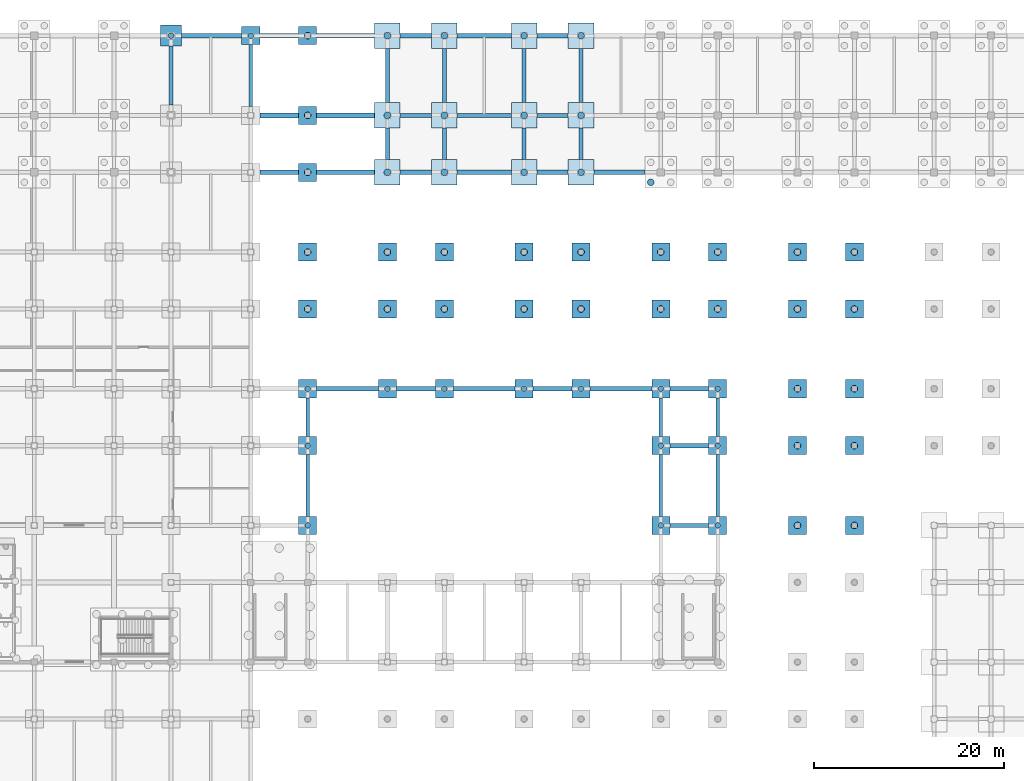
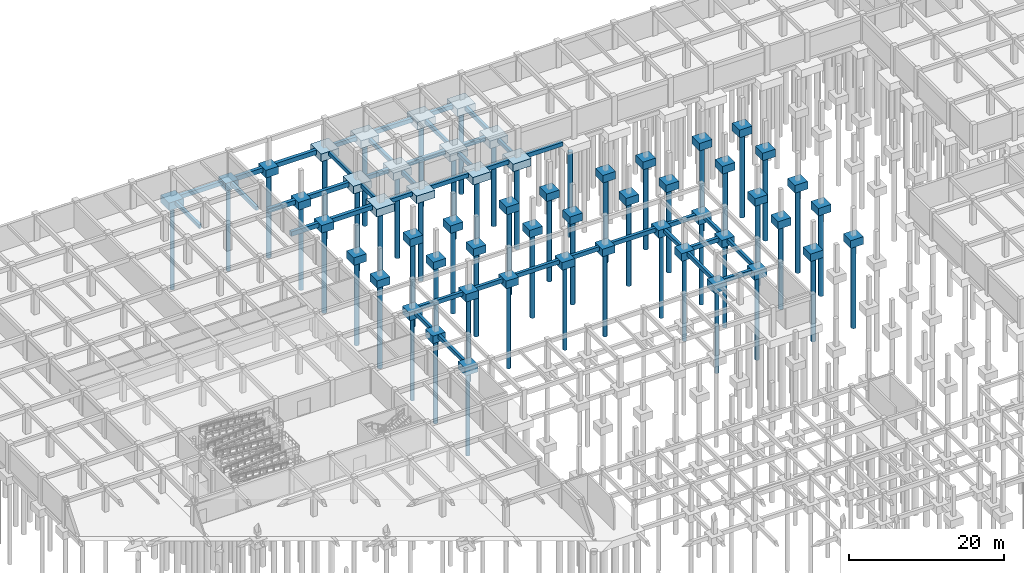
# One storey, part 9 of 40: 92 footings, 55 piles.
"""IFC4 building model written with IfcOpenShell, lengths in metres."""

import ifcopenshell
import ifcopenshell.guid

model = None  # the IFC model being written
_history = None  # IfcOwnerHistory: only IFC2X3 demands one
_inside = {}  # id of a spatial element -> (the spatial element, [elements in it])
_under = {}  # id of a project, library or spatial element -> (it, [spatial elements below it])
_declared = {}  # id of a project -> (the project, [libraries it declares])
_typed = {}  # id of a type object -> (the type object, [elements of that type])
_made_of = {}  # id of a material, layer set ... -> (it, [elements and type objects made of it])


def new_model(schema):
    """Start an empty IFC model of exactly this schema.

    Asked for "IFC4X3", IfcOpenShell would pick the latest addendum, in which some entities
    have other attributes; the version numbers below select the first issue.
    IFC2X3 requires an IfcOwnerHistory on every rooted entity: one is made here for all.
    """
    global model, _history
    if schema == "IFC4X3":
        model = ifcopenshell.file(schema_version=(4, 3, 0, 0))
    else:
        model = ifcopenshell.file(schema=schema)
    _inside.clear()
    _under.clear()
    _declared.clear()
    _typed.clear()
    _made_of.clear()
    _history = None
    if model.schema == "IFC2X3":
        org = make("IfcOrganization", Name="unknown")
        user = make(
            "IfcPersonAndOrganization",
            ThePerson=make("IfcPerson", FamilyName="unknown"),
            TheOrganization=org,
        )
        app = make(
            "IfcApplication",
            ApplicationDeveloper=org,
            Version="unknown",
            ApplicationFullName="unknown",
            ApplicationIdentifier="unknown",
        )
        _history = make(
            "IfcOwnerHistory",
            OwningUser=user,
            OwningApplication=app,
            ChangeAction="ADDED",
            CreationDate=0,
        )
    return model


def make(cls, **values):
    """One entity of the class cls with the attributes given. An attribute that is None is left unset."""
    return model.create_entity(
        cls, **{name: value for name, value in values.items() if value is not None}
    )


def rooted(cls, **values):
    """An entity with a GlobalId (a new one), such as an element, a storey or a relation."""
    return make(cls, GlobalId=ifcopenshell.guid.new(), OwnerHistory=_history, **values)


def si_unit(unit_type, name, prefix=None):
    """IfcSIUnit, for example si_unit("LENGTHUNIT", "METRE", prefix="MILLI")."""
    return make("IfcSIUnit", UnitType=unit_type, Prefix=prefix, Name=name)


def assignment(units):
    """IfcUnitAssignment: the units of a project."""
    return None if units is None else make("IfcUnitAssignment", Units=units)


def point(xyz):
    """IfcCartesianPoint."""
    return None if xyz is None else make("IfcCartesianPoint", Coordinates=xyz)


def direction(xyz):
    """IfcDirection."""
    return None if xyz is None else make("IfcDirection", DirectionRatios=xyz)


def frame(location, z_axis=None, x_axis=None):
    """IfcAxis2Placement3D, a coordinate frame: its origin and axes. An axis left out is left unset."""
    return make(
        "IfcAxis2Placement3D",
        Location=point(location),
        Axis=direction(z_axis),
        RefDirection=direction(x_axis),
    )


def frame_2d(location, x_axis=None):
    """IfcAxis2Placement2D, a coordinate frame in the plane: its origin and x axis."""
    return make(
        "IfcAxis2Placement2D", Location=point(location), RefDirection=direction(x_axis)
    )


def origin():
    """The frame at (0, 0, 0) with its axes left unset."""
    return frame((0.0, 0.0, 0.0))


def origin_2d():
    """The frame at (0, 0) in the plane with its x axis left unset."""
    return frame_2d((0.0, 0.0))


def place(relative_to, where):
    """IfcLocalPlacement: puts the frame where relative to a parent placement (None: the world)."""
    return make(
        "IfcLocalPlacement", PlacementRelTo=relative_to, RelativePlacement=where
    )


def context(
    kind, dimensions, precision=None, world=None, true_north=None, identifier=None
):
    """IfcGeometricRepresentationContext, for example the 3D "Model" context."""
    return make(
        "IfcGeometricRepresentationContext",
        ContextIdentifier=identifier,
        ContextType=kind,
        CoordinateSpaceDimension=dimensions,
        Precision=precision,
        WorldCoordinateSystem=world,
        TrueNorth=true_north,
    )


def subcontext(parent, identifier, kind, view, scale=None):
    """IfcGeometricRepresentationSubContext, for example "Body" below "Model"."""
    return make(
        "IfcGeometricRepresentationSubContext",
        ContextIdentifier=identifier,
        ContextType=kind,
        ParentContext=parent,
        TargetScale=scale,
        TargetView=view,
    )


def project(units=None, contexts=None):
    """IfcProject with its units and contexts."""
    return rooted(
        "IfcProject",
        Name="project",
        RepresentationContexts=contexts,
        UnitsInContext=assignment(units),
    )


def spatial(cls, under=None, at=None, **own):
    """A site, building, storey or space (cls), placed at a placement, below another one or the project."""
    s = rooted(cls, ObjectPlacement=at, **own)
    if under is not None:
        _under.setdefault(under.id(), (under, []))[1].append(s)
    return s


def profile(cls, at=None, kind="AREA", **sizes):
    """A parametric profile (cls). Its sizes go by their IFC names, for example OverallWidth=200.0."""
    return make(cls, ProfileType=kind, Position=at, **sizes)


def rectangle(**sizes):
    """IfcRectangleProfileDef."""
    return profile("IfcRectangleProfileDef", **sizes)


def circle(**sizes):
    """IfcCircleProfileDef."""
    return profile("IfcCircleProfileDef", **sizes)


def extrude(swept, where, along, depth):
    """IfcExtrudedAreaSolid: the profile swept, set in the frame where, extruded along a direction by depth."""
    return make(
        "IfcExtrudedAreaSolid",
        SweptArea=swept,
        Position=where,
        ExtrudedDirection=direction(along),
        Depth=depth,
    )


def shape(context_of_items, identifier, shape_type, items):
    """IfcShapeRepresentation: the items that make up one representation, for example the "Body"."""
    return make(
        "IfcShapeRepresentation",
        ContextOfItems=context_of_items,
        RepresentationIdentifier=identifier,
        RepresentationType=shape_type,
        Items=items,
    )


def material(Name=None, Category=None):
    """IfcMaterial."""
    return make("IfcMaterial", Name=Name, Category=Category)


def material_profile(
    of_material, cross_section, Name=None, Category=None, Priority=None
):
    """IfcMaterialProfile: a cross section and its material."""
    return make(
        "IfcMaterialProfile",
        Name=Name,
        Material=of_material,
        Profile=cross_section,
        Priority=Priority,
        Category=Category,
    )


def profile_set(profiles, Name=None, composite=None):
    """IfcMaterialProfileSet."""
    return make(
        "IfcMaterialProfileSet",
        Name=Name,
        MaterialProfiles=profiles,
        CompositeProfile=composite,
    )


def made_of(thing, what):
    """Note that an element or type object is made of a material, layer set ...; save() writes the relation."""
    if what is not None:
        _made_of.setdefault(what.id(), (what, []))[1].append(thing)
    return thing


def type_object(cls, material=None, **own):
    """A type object (cls), such as IfcWallType, which elements share."""
    return made_of(rooted(cls, **own), material)


def element(
    cls,
    number,
    at=None,
    inside=None,
    cuts=None,
    type_object=None,
    material=None,
    context=None,
    identifier="Body",
    shape_type=None,
    held_by="IfcProductDefinitionShape",
    body=None,
    shapes=None,
    **own,
):
    """One element of the class cls, such as IfcWall. Its Tag is "e" and its number.

    at: its placement. inside: the storey or other place that contains it. cuts: it is an
    opening in that element (IfcRelVoidsElement). A single representation is given by context,
    identifier, shape_type and body (its items); several are given by shapes. held_by: the class
    of the entity that holds the representations. save() writes the other relations.
    """
    e = rooted(cls, Tag="e%d" % number, ObjectPlacement=at, **own)
    if body is not None:
        shapes = [shape(context, identifier, shape_type, body)]
    if shapes is not None:
        e.Representation = make(held_by, Representations=shapes)
    if inside is not None:
        _inside.setdefault(inside.id(), (inside, []))[1].append(e)
    if cuts is not None:
        rooted(
            "IfcRelVoidsElement", RelatingBuildingElement=cuts, RelatedOpeningElement=e
        )
    if type_object is not None:
        _typed.setdefault(type_object.id(), (type_object, []))[1].append(e)
    return made_of(e, material)


def aggregate(whole, parts):
    """IfcRelAggregates: a whole, such as a stair, and the parts it consists of."""
    return rooted("IfcRelAggregates", RelatingObject=whole, RelatedObjects=parts)


def save(model, path):
    """Write the relations noted so far, then the file.

    IfcRelAggregates (storeys below a building ...), IfcRelContainedInSpatialStructure (elements
    in a storey), IfcRelDefinesByType, IfcRelAssociatesMaterial and IfcRelDeclares: one each for
    every whole, place, type object, material and project.
    """
    for whole, parts in _under.values():
        aggregate(whole, parts)
    for where, things in _inside.values():
        rooted(
            "IfcRelContainedInSpatialStructure",
            RelatedElements=things,
            RelatingStructure=where,
        )
    for kind, things in _typed.values():
        rooted("IfcRelDefinesByType", RelatedObjects=things, RelatingType=kind)
    for what, things in _made_of.values():
        rooted("IfcRelAssociatesMaterial", RelatedObjects=things, RelatingMaterial=what)
    for by, libraries in _declared.values():
        rooted("IfcRelDeclares", RelatingContext=by, RelatedDefinitions=libraries)
    model.write(path)


model = new_model("IFC4")

# Units and contexts
model_context = context("Model", 3, precision=1e-05, world=origin(), true_north=direction((0.0, 1.0)))
body_context = subcontext(model_context, "Body", "Model", "MODEL_VIEW")
ifc_project = project(units=[si_unit("LENGTHUNIT", "METRE"), si_unit("AREAUNIT", "SQUARE_METRE"), si_unit("VOLUMEUNIT", "CUBIC_METRE"), si_unit("PLANEANGLEUNIT", "RADIAN"), si_unit("MASSUNIT", "GRAM", prefix="KILO"), si_unit("THERMODYNAMICTEMPERATUREUNIT", "KELVIN")], contexts=[model_context])

# Site, building, storey
site_placement = place(None, origin())
site = spatial("IfcSite", under=ifc_project, at=site_placement, CompositionType="ELEMENT")
building_placement = place(site_placement, origin())
building = spatial("IfcBuilding", under=site, at=building_placement, Name="Thalorik Housing Commons", CompositionType="ELEMENT")
storey_placement = place(building_placement, frame((0.0, 0.0, -4.199951171875)))
storey = spatial("IfcBuildingStorey", under=building, at=storey_placement, Name="B1", CompositionType="ELEMENT", Elevation=-4.199951171875)

# Footings
ifc_material = material(Name="Concrete C40/50", Category="concrete")
footing_type_1 = type_object("IfcFootingType", Name="STR-CAP-1900x1900", PredefinedType="PILE_CAP", material=ifc_material)
for number, where, z_axis, x_axis, name in (
    (1, (72.0, 72.0, -1.64990234375), (0.0, 0.0, 1.0), (1.0, 0.0, 0.0), "B1 Pile Cap 169"),
    (2, (109.199951171875, 72.0, -1.64990234375), (0.0, 0.0, 1.0), (1.0, 0.0, 0.0), "B1 Pile Cap 170"),
    (3, (115.199951171875, 72.0, -1.64990234375), (0.0, 0.0, 1.0), (1.0, 0.0, 0.0), "B1 Pile Cap 171"),
    (4, (72.0, 80.39990234375, -1.64990234375), (0.0, 0.0, 1.0), (1.0, 0.0, 0.0), "B1 Pile Cap 185"),
    (5, (109.199951171875, 80.39990234375, -1.64990234375), (0.0, 0.0, 1.0), (1.0, 0.0, 0.0), "B1 Pile Cap 186"),
    (6, (115.199951171875, 80.39990234375, -1.64990234375), (0.0, 0.0, 1.0), (1.0, 0.0, 0.0), "B1 Pile Cap 187"),
    (7, (72.0, 86.39990234375, -1.64990234375), (0.0, 0.0, 1.0), (1.0, 0.0, 0.0), "B1 Pile Cap 201"),
    (8, (80.39990234375, 86.39990234375, -1.64990234375), (0.0, 0.0, 1.0), (1.0, 0.0, 0.0), "B1 Pile Cap 202"),
    (9, (86.39990234375, 86.39990234375, -1.64990234375), (0.0, 0.0, 1.0), (1.0, 0.0, 0.0), "B1 Pile Cap 203"),
    (10, (94.800048828125, 86.39990234375, -1.64990234375), (0.0, 0.0, 1.0), (1.0, 0.0, 0.0), "B1 Pile Cap 204"),
    (11, (100.800048828125, 86.39990234375, -1.64990234375), (0.0, 0.0, 1.0), (1.0, 0.0, 0.0), "B1 Pile Cap 205"),
    (12, (109.199951171875, 86.39990234375, -1.64990234375), (0.0, 0.0, 1.0), (1.0, 0.0, 0.0), "B1 Pile Cap 206"),
    (13, (115.199951171875, 86.39990234375, -1.64990234375), (0.0, 0.0, 1.0), (1.0, 0.0, 0.0), "B1 Pile Cap 207"),
    (14, (66.0, 123.60009765625, -1.64990234375), (0.0, 0.0, 1.0), (1.0, 0.0, 0.0), "B1 Pile Cap 286"),
    (15, (72.0, 94.800048828125, -1.64990234375), (0.0, 0.0, 1.0), (1.0, 0.0, 0.0), "B1 Plaza Pile Cap 3"),
    (16, (72.0, 100.800048828125, -1.64990234375), (0.0, 0.0, 1.0), (1.0, 0.0, 0.0), "B1 Plaza Pile Cap 4"),
    (17, (72.0, 109.199951171875, -1.64990234375), (0.0, 0.0, 1.0), (1.0, 0.0, 0.0), "B1 Plaza Pile Cap 5"),
    (18, (72.0, 115.199951171875, -1.64990234375), (0.0, 0.0, 1.0), (1.0, 0.0, 0.0), "B1 Plaza Pile Cap 6"),
    (19, (72.0, 123.60009765625, -1.64990234375), (0.0, 0.0, 1.0), (1.0, 0.0, 0.0), "B1 Plaza Pile Cap 7"),
    (20, (80.39990234375, 94.800048828125, -1.64990234375), (0.0, 0.0, 1.0), (1.0, 0.0, 0.0), "B1 Plaza Pile Cap 10"),
    (21, (80.39990234375, 100.800048828125, -1.64990234375), (0.0, 0.0, 1.0), (1.0, 0.0, 0.0), "B1 Plaza Pile Cap 11"),
    (22, (86.39990234375, 94.800048828125, -1.64990234375), (0.0, 0.0, 1.0), (1.0, 0.0, 0.0), "B1 Plaza Pile Cap 14"),
    (23, (86.39990234375, 100.800048828125, -1.64990234375), (0.0, 0.0, 1.0), (1.0, 0.0, 0.0), "B1 Plaza Pile Cap 15"),
    (24, (94.800048828125, 94.800048828125, -1.64990234375), (0.0, 0.0, 1.0), (1.0, 0.0, 0.0), "B1 Plaza Pile Cap 18"),
    (25, (94.800048828125, 100.800048828125, -1.64990234375), (0.0, 0.0, 1.0), (1.0, 0.0, 0.0), "B1 Plaza Pile Cap 19"),
    (26, (100.800048828125, 94.800048828125, -1.64990234375), (0.0, 0.0, 1.0), (1.0, 0.0, 0.0), "B1 Plaza Pile Cap 22"),
    (27, (100.800048828125, 100.800048828125, -1.64990234375), (0.0, 0.0, 1.0), (1.0, 0.0, 0.0), "B1 Plaza Pile Cap 23"),
    (28, (109.199951171875, 94.800048828125, -1.64990234375), (0.0, 0.0, 1.0), (1.0, 0.0, 0.0), "B1 Plaza Pile Cap 26"),
    (29, (109.199951171875, 100.800048828125, -1.64990234375), (0.0, 0.0, 1.0), (1.0, 0.0, 0.0), "B1 Plaza Pile Cap 27"),
    (30, (115.199951171875, 94.800048828125, -1.64990234375), (0.0, 0.0, 1.0), (1.0, 0.0, 0.0), "B1 Plaza Pile Cap 31"),
    (31, (115.199951171875, 100.800048828125, -1.64990234375), (0.0, 0.0, 1.0), (1.0, 0.0, 0.0), "B1 Plaza Pile Cap 32"),
    (32, (123.60009765625, 72.0, -1.64990234375), (0.0, 0.0, 1.0), (1.0, 0.0, 0.0), "B1 Plaza Pile Cap 38"),
    (33, (123.60009765625, 80.39990234375, -1.64990234375), (0.0, 0.0, 1.0), (1.0, 0.0, 0.0), "B1 Plaza Pile Cap 39"),
    (34, (123.60009765625, 86.39990234375, -1.64990234375), (0.0, 0.0, 1.0), (1.0, 0.0, 0.0), "B1 Plaza Pile Cap 40"),
    (35, (123.60009765625, 94.800048828125, -1.64990234375), (0.0, 0.0, 1.0), (1.0, 0.0, 0.0), "B1 Plaza Pile Cap 41"),
    (36, (123.60009765625, 100.800048828125, -1.64990234375), (0.0, 0.0, 1.0), (1.0, 0.0, 0.0), "B1 Plaza Pile Cap 42"),
    (37, (129.60009765625, 72.0, -1.64990234375), (0.0, 0.0, 1.0), (1.0, 0.0, 0.0), "B1 Plaza Pile Cap 48"),
    (38, (129.60009765625, 80.39990234375, -1.64990234375), (0.0, 0.0, 1.0), (1.0, 0.0, 0.0), "B1 Plaza Pile Cap 49"),
    (39, (129.60009765625, 86.39990234375, -1.64990234375), (0.0, 0.0, 1.0), (1.0, 0.0, 0.0), "B1 Plaza Pile Cap 50"),
    (40, (129.60009765625, 94.800048828125, -1.64990234375), (0.0, 0.0, 1.0), (1.0, 0.0, 0.0), "B1 Plaza Pile Cap 51"),
    (41, (129.60009765625, 100.800048828125, -1.64990234375), (0.0, 0.0, 1.0), (1.0, 0.0, 0.0), "B1 Plaza Pile Cap 52"),
):
    element("IfcFooting", number, at=place(storey_placement, frame(where, z_axis=z_axis, x_axis=x_axis)), inside=storey, type_object=footing_type_1, Name=name, PredefinedType="PILE_CAP", context=body_context, shape_type="SweptSolid", body=[
        extrude(rectangle(XDim=1.89990234375, YDim=1.89990234375, at=origin_2d()), origin(), (0.0, 0.0, 1.0), 1.199951171875),
    ])
footing_type_2 = type_object("IfcFootingType", Name="STR-CAP-2200x2200", PredefinedType="PILE_CAP", material=ifc_material)
footing_1_placement = place(storey_placement, frame((57.60009765625, 123.60009765625, -1.64990234375), z_axis=(0.0, 0.0, 1.0), x_axis=(1.0, 0.0, 0.0)))
element("IfcFooting", 42, at=footing_1_placement, inside=storey, type_object=footing_type_2, Name="B1 Pile Cap 285", PredefinedType="PILE_CAP", context=body_context, shape_type="SweptSolid", body=[
    extrude(rectangle(XDim=2.199951171875, YDim=2.199951171875, at=origin_2d()), origin(), (0.0, 0.0, 1.0), 1.199951171875),
])
footing_type_3 = type_object("IfcFootingType", Name="STR-CAP-2700x2700", PredefinedType="PILE_CAP", material=ifc_material)
for number, where, z_axis, x_axis, name in (
    (43, (80.39990234375, 109.199951171875, -1.64990234375), (0.0, 0.0, 1.0), (1.0, 0.0, 0.0), "B1 Pile Cap 246"),
    (44, (86.39990234375, 109.199951171875, -1.64990234375), (0.0, 0.0, 1.0), (1.0, 0.0, 0.0), "B1 Pile Cap 247"),
    (45, (94.800048828125, 109.199951171875, -1.64990234375), (0.0, 0.0, 1.0), (1.0, 0.0, 0.0), "B1 Pile Cap 248"),
    (46, (100.800048828125, 109.199951171875, -1.64990234375), (0.0, 0.0, 1.0), (1.0, 0.0, 0.0), "B1 Pile Cap 249"),
    (47, (80.39990234375, 115.199951171875, -1.64990234375), (0.0, 0.0, 1.0), (1.0, 0.0, 0.0), "B1 Pile Cap 263"),
    (48, (86.39990234375, 115.199951171875, -1.64990234375), (0.0, 0.0, 1.0), (1.0, 0.0, 0.0), "B1 Pile Cap 264"),
    (49, (94.800048828125, 115.199951171875, -1.64990234375), (0.0, 0.0, 1.0), (1.0, 0.0, 0.0), "B1 Pile Cap 265"),
    (50, (100.800048828125, 115.199951171875, -1.64990234375), (0.0, 0.0, 1.0), (1.0, 0.0, 0.0), "B1 Pile Cap 266"),
    (51, (80.39990234375, 123.60009765625, -1.64990234375), (0.0, 0.0, 1.0), (1.0, 0.0, 0.0), "B1 Pile Cap 280"),
    (52, (86.39990234375, 123.60009765625, -1.64990234375), (0.0, 0.0, 1.0), (1.0, 0.0, 0.0), "B1 Pile Cap 281"),
    (53, (94.800048828125, 123.60009765625, -1.64990234375), (0.0, 0.0, 1.0), (1.0, 0.0, 0.0), "B1 Pile Cap 282"),
    (54, (100.800048828125, 123.60009765625, -1.64990234375), (0.0, 0.0, 1.0), (1.0, 0.0, 0.0), "B1 Pile Cap 283"),
):
    element("IfcFooting", number, at=place(storey_placement, frame(where, z_axis=z_axis, x_axis=x_axis)), inside=storey, type_object=footing_type_3, Name=name, PredefinedType="PILE_CAP", context=body_context, shape_type="SweptSolid", body=[
        extrude(rectangle(XDim=2.699951171875, YDim=2.699951171875, at=origin_2d()), origin(), (0.0, 0.0, 1.0), 1.199951171875),
    ])
ifc_material_profile_1 = material_profile(ifc_material, rectangle(XDim=0.39990234375, YDim=0.60009765625, at=origin_2d()), Name="RC 400x600", Category="concrete")
ifc_profile_set_1 = profile_set([ifc_material_profile_1], Name="Concrete C40/50")
footing_type_4 = type_object("IfcFootingType", Name="STR-GB-400", PredefinedType="FOOTING_BEAM", material=ifc_profile_set_1)
footing_2_placement = place(storey_placement, frame((57.60009765625, 116.300048828125, -0.75), z_axis=(0.0, 1.0, 0.0), x_axis=(-1.0, 0.0, 0.0)))
element("IfcFooting", 55, at=footing_2_placement, inside=storey, type_object=footing_type_4, Name="B1 Ground Tie-Beam Y 374", PredefinedType="FOOTING_BEAM", context=body_context, shape_type="SweptSolid", body=[
    extrude(rectangle(XDim=0.39990234375, YDim=0.60009765625, at=origin_2d()), origin(), (0.0, 0.0, 1.0), 6.199951171875),
])
for number, where, z_axis, x_axis, name in (
    (56, (66.0, 116.14990234375, -0.75), (0.0, 1.0, 0.0), (-1.0, 0.0, 0.0), "B1 Ground Tie-Beam Y 388"),
    (57, (72.0, 72.949951171875, -0.75), (0.0, 1.0, 0.0), (-1.0, 0.0, 0.0), "B1 Ground Tie-Beam Y 393"),
):
    element("IfcFooting", number, at=place(storey_placement, frame(where, z_axis=z_axis, x_axis=x_axis)), inside=storey, type_object=footing_type_4, Name=name, PredefinedType="FOOTING_BEAM", context=body_context, shape_type="SweptSolid", body=[
        extrude(rectangle(XDim=0.39990234375, YDim=0.60009765625, at=origin_2d()), origin(), (0.0, 0.0, 1.0), 6.5),
    ])
footing_3_placement = place(storey_placement, frame((72.0, 81.35009765625, -0.75), z_axis=(0.0, 1.0, 0.0), x_axis=(-1.0, 0.0, 0.0)))
element("IfcFooting", 58, at=footing_3_placement, inside=storey, type_object=footing_type_4, Name="B1 Ground Tie-Beam Y 394", PredefinedType="FOOTING_BEAM", context=body_context, shape_type="SweptSolid", body=[
    extrude(rectangle(XDim=0.39990234375, YDim=0.60009765625, at=origin_2d()), origin(), (0.0, 0.0, 1.0), 4.099853515625),
])
footing_4_placement = place(storey_placement, frame((80.39990234375, 110.550048828125, -0.75), z_axis=(0.0, 1.0, 0.0), x_axis=(-1.0, 0.0, 0.0)))
element("IfcFooting", 59, at=footing_4_placement, inside=storey, type_object=footing_type_4, Name="B1 Ground Tie-Beam Y 400", PredefinedType="FOOTING_BEAM", context=body_context, shape_type="SweptSolid", body=[
    extrude(rectangle(XDim=0.39990234375, YDim=0.60009765625, at=origin_2d()), origin(), (0.0, 0.0, 1.0), 3.300048828125),
])
footing_5_placement = place(storey_placement, frame((80.39990234375, 116.550048828125, -0.75), z_axis=(0.0, 1.0, 0.0), x_axis=(-1.0, 0.0, 0.0)))
element("IfcFooting", 60, at=footing_5_placement, inside=storey, type_object=footing_type_4, Name="B1 Ground Tie-Beam Y 401", PredefinedType="FOOTING_BEAM", context=body_context, shape_type="SweptSolid", body=[
    extrude(rectangle(XDim=0.39990234375, YDim=0.60009765625, at=origin_2d()), origin(), (0.0, 0.0, 1.0), 5.699951171875),
])
footing_6_placement = place(storey_placement, frame((86.39990234375, 110.550048828125, -0.75), z_axis=(0.0, 1.0, 0.0), x_axis=(-1.0, 0.0, 0.0)))
element("IfcFooting", 61, at=footing_6_placement, inside=storey, type_object=footing_type_4, Name="B1 Ground Tie-Beam Y 407", PredefinedType="FOOTING_BEAM", context=body_context, shape_type="SweptSolid", body=[
    extrude(rectangle(XDim=0.39990234375, YDim=0.60009765625, at=origin_2d()), origin(), (0.0, 0.0, 1.0), 3.300048828125),
])
footing_7_placement = place(storey_placement, frame((86.39990234375, 116.550048828125, -0.75), z_axis=(0.0, 1.0, 0.0), x_axis=(-1.0, 0.0, 0.0)))
element("IfcFooting", 62, at=footing_7_placement, inside=storey, type_object=footing_type_4, Name="B1 Ground Tie-Beam Y 408", PredefinedType="FOOTING_BEAM", context=body_context, shape_type="SweptSolid", body=[
    extrude(rectangle(XDim=0.39990234375, YDim=0.60009765625, at=origin_2d()), origin(), (0.0, 0.0, 1.0), 5.699951171875),
])
footing_8_placement = place(storey_placement, frame((94.800048828125, 110.550048828125, -0.75), z_axis=(0.0, 1.0, 0.0), x_axis=(-1.0, 0.0, 0.0)))
element("IfcFooting", 63, at=footing_8_placement, inside=storey, type_object=footing_type_4, Name="B1 Ground Tie-Beam Y 414", PredefinedType="FOOTING_BEAM", context=body_context, shape_type="SweptSolid", body=[
    extrude(rectangle(XDim=0.39990234375, YDim=0.60009765625, at=origin_2d()), origin(), (0.0, 0.0, 1.0), 3.300048828125),
])
footing_9_placement = place(storey_placement, frame((94.800048828125, 116.550048828125, -0.75), z_axis=(0.0, 1.0, 0.0), x_axis=(-1.0, 0.0, 0.0)))
element("IfcFooting", 64, at=footing_9_placement, inside=storey, type_object=footing_type_4, Name="B1 Ground Tie-Beam Y 415", PredefinedType="FOOTING_BEAM", context=body_context, shape_type="SweptSolid", body=[
    extrude(rectangle(XDim=0.39990234375, YDim=0.60009765625, at=origin_2d()), origin(), (0.0, 0.0, 1.0), 5.699951171875),
])
footing_10_placement = place(storey_placement, frame((100.800048828125, 110.550048828125, -0.75), z_axis=(0.0, 1.0, 0.0), x_axis=(-1.0, 0.0, 0.0)))
element("IfcFooting", 65, at=footing_10_placement, inside=storey, type_object=footing_type_4, Name="B1 Ground Tie-Beam Y 421", PredefinedType="FOOTING_BEAM", context=body_context, shape_type="SweptSolid", body=[
    extrude(rectangle(XDim=0.39990234375, YDim=0.60009765625, at=origin_2d()), origin(), (0.0, 0.0, 1.0), 3.300048828125),
])
footing_11_placement = place(storey_placement, frame((100.800048828125, 116.550048828125, -0.75), z_axis=(0.0, 1.0, 0.0), x_axis=(-1.0, 0.0, 0.0)))
element("IfcFooting", 66, at=footing_11_placement, inside=storey, type_object=footing_type_4, Name="B1 Ground Tie-Beam Y 422", PredefinedType="FOOTING_BEAM", context=body_context, shape_type="SweptSolid", body=[
    extrude(rectangle(XDim=0.39990234375, YDim=0.60009765625, at=origin_2d()), origin(), (0.0, 0.0, 1.0), 5.699951171875),
])
footing_12_placement = place(storey_placement, frame((109.199951171875, 72.949951171875, -0.75), z_axis=(0.0, 1.0, 0.0), x_axis=(-1.0, 0.0, 0.0)))
element("IfcFooting", 67, at=footing_12_placement, inside=storey, type_object=footing_type_4, Name="B1 Ground Tie-Beam Y 427", PredefinedType="FOOTING_BEAM", context=body_context, shape_type="SweptSolid", body=[
    extrude(rectangle(XDim=0.39990234375, YDim=0.60009765625, at=origin_2d()), origin(), (0.0, 0.0, 1.0), 6.5),
])
footing_13_placement = place(storey_placement, frame((109.199951171875, 81.35009765625, -0.75), z_axis=(0.0, 1.0, 0.0), x_axis=(-1.0, 0.0, 0.0)))
element("IfcFooting", 68, at=footing_13_placement, inside=storey, type_object=footing_type_4, Name="B1 Ground Tie-Beam Y 428", PredefinedType="FOOTING_BEAM", context=body_context, shape_type="SweptSolid", body=[
    extrude(rectangle(XDim=0.39990234375, YDim=0.60009765625, at=origin_2d()), origin(), (0.0, 0.0, 1.0), 4.099853515625),
])
footing_14_placement = place(storey_placement, frame((115.199951171875, 72.949951171875, -0.75), z_axis=(0.0, 1.0, 0.0), x_axis=(-1.0, 0.0, 0.0)))
element("IfcFooting", 69, at=footing_14_placement, inside=storey, type_object=footing_type_4, Name="B1 Ground Tie-Beam Y 435", PredefinedType="FOOTING_BEAM", context=body_context, shape_type="SweptSolid", body=[
    extrude(rectangle(XDim=0.39990234375, YDim=0.60009765625, at=origin_2d()), origin(), (0.0, 0.0, 1.0), 6.5),
])
footing_15_placement = place(storey_placement, frame((115.199951171875, 81.35009765625, -0.75), z_axis=(0.0, 1.0, 0.0), x_axis=(-1.0, 0.0, 0.0)))
element("IfcFooting", 70, at=footing_15_placement, inside=storey, type_object=footing_type_4, Name="B1 Ground Tie-Beam Y 436", PredefinedType="FOOTING_BEAM", context=body_context, shape_type="SweptSolid", body=[
    extrude(rectangle(XDim=0.39990234375, YDim=0.60009765625, at=origin_2d()), origin(), (0.0, 0.0, 1.0), 4.099853515625),
])
ifc_material_profile_2 = material_profile(ifc_material, rectangle(XDim=0.449951171875, YDim=0.64990234375, at=origin_2d()), Name="RC 450x650", Category="concrete")
ifc_profile_set_2 = profile_set([ifc_material_profile_2], Name="Concrete C40/50")
footing_type_5 = type_object("IfcFootingType", Name="STR-GB-500", PredefinedType="FOOTING_BEAM", material=ifc_profile_set_2)
for number, where, z_axis, x_axis, name in (
    (71, (110.14990234375, 72.0, -0.775146484375), (1.0, 0.0, 0.0), (0.0, 1.0, 0.0), "B1 Ground Tie-Beam X 152"),
    (72, (110.14990234375, 80.39990234375, -0.775146484375), (1.0, 0.0, 0.0), (0.0, 1.0, 0.0), "B1 Ground Tie-Beam X 165"),
):
    element("IfcFooting", number, at=place(storey_placement, frame(where, z_axis=z_axis, x_axis=x_axis)), inside=storey, type_object=footing_type_5, Name=name, PredefinedType="FOOTING_BEAM", context=body_context, shape_type="SweptSolid", body=[
        extrude(rectangle(XDim=0.449951171875, YDim=0.64990234375, at=origin_2d()), origin(), (0.0, 0.0, 1.0), 4.10009765625),
    ])
footing_16_placement = place(storey_placement, frame((72.949951171875, 86.39990234375, -0.775146484375), z_axis=(1.0, 0.0, 0.0), x_axis=(0.0, 1.0, 0.0)))
element("IfcFooting", 73, at=footing_16_placement, inside=storey, type_object=footing_type_5, Name="B1 Ground Tie-Beam X 178", PredefinedType="FOOTING_BEAM", context=body_context, shape_type="SweptSolid", body=[
    extrude(rectangle(XDim=0.449951171875, YDim=0.64990234375, at=origin_2d()), origin(), (0.0, 0.0, 1.0), 6.5),
])
footing_17_placement = place(storey_placement, frame((81.35009765625, 86.39990234375, -0.775146484375), z_axis=(1.0, 0.0, 0.0), x_axis=(0.0, 1.0, 0.0)))
element("IfcFooting", 74, at=footing_17_placement, inside=storey, type_object=footing_type_5, Name="B1 Ground Tie-Beam X 179", PredefinedType="FOOTING_BEAM", context=body_context, shape_type="SweptSolid", body=[
    extrude(rectangle(XDim=0.449951171875, YDim=0.64990234375, at=origin_2d()), origin(), (0.0, 0.0, 1.0), 4.099853515625),
])
footing_18_placement = place(storey_placement, frame((87.35009765625, 86.39990234375, -0.775146484375), z_axis=(1.0, 0.0, 0.0), x_axis=(0.0, 1.0, 0.0)))
element("IfcFooting", 75, at=footing_18_placement, inside=storey, type_object=footing_type_5, Name="B1 Ground Tie-Beam X 180", PredefinedType="FOOTING_BEAM", context=body_context, shape_type="SweptSolid", body=[
    extrude(rectangle(XDim=0.449951171875, YDim=0.64990234375, at=origin_2d()), origin(), (0.0, 0.0, 1.0), 6.5),
])
footing_19_placement = place(storey_placement, frame((95.75, 86.39990234375, -0.775146484375), z_axis=(1.0, 0.0, 0.0), x_axis=(0.0, 1.0, 0.0)))
element("IfcFooting", 76, at=footing_19_placement, inside=storey, type_object=footing_type_5, Name="B1 Ground Tie-Beam X 181", PredefinedType="FOOTING_BEAM", context=body_context, shape_type="SweptSolid", body=[
    extrude(rectangle(XDim=0.449951171875, YDim=0.64990234375, at=origin_2d()), origin(), (0.0, 0.0, 1.0), 4.10009765625),
])
footing_20_placement = place(storey_placement, frame((101.75, 86.39990234375, -0.775146484375), z_axis=(1.0, 0.0, 0.0), x_axis=(0.0, 1.0, 0.0)))
element("IfcFooting", 77, at=footing_20_placement, inside=storey, type_object=footing_type_5, Name="B1 Ground Tie-Beam X 182", PredefinedType="FOOTING_BEAM", context=body_context, shape_type="SweptSolid", body=[
    extrude(rectangle(XDim=0.449951171875, YDim=0.64990234375, at=origin_2d()), origin(), (0.0, 0.0, 1.0), 6.5),
])
footing_21_placement = place(storey_placement, frame((110.14990234375, 86.39990234375, -0.775146484375), z_axis=(1.0, 0.0, 0.0), x_axis=(0.0, 1.0, 0.0)))
element("IfcFooting", 78, at=footing_21_placement, inside=storey, type_object=footing_type_5, Name="B1 Ground Tie-Beam X 183", PredefinedType="FOOTING_BEAM", context=body_context, shape_type="SweptSolid", body=[
    extrude(rectangle(XDim=0.449951171875, YDim=0.64990234375, at=origin_2d()), origin(), (0.0, 0.0, 1.0), 4.10009765625),
])
footing_22_placement = place(storey_placement, frame((81.75, 109.199951171875, -0.775146484375), z_axis=(1.0, 0.0, 0.0), x_axis=(0.0, 1.0, 0.0)))
element("IfcFooting", 79, at=footing_22_placement, inside=storey, type_object=footing_type_5, Name="B1 Ground Tie-Beam X 216", PredefinedType="FOOTING_BEAM", context=body_context, shape_type="SweptSolid", body=[
    extrude(rectangle(XDim=0.449951171875, YDim=0.64990234375, at=origin_2d()), origin(), (0.0, 0.0, 1.0), 3.300048828125),
])
footing_23_placement = place(storey_placement, frame((87.75, 109.199951171875, -0.775146484375), z_axis=(1.0, 0.0, 0.0), x_axis=(0.0, 1.0, 0.0)))
element("IfcFooting", 80, at=footing_23_placement, inside=storey, type_object=footing_type_5, Name="B1 Ground Tie-Beam X 217", PredefinedType="FOOTING_BEAM", context=body_context, shape_type="SweptSolid", body=[
    extrude(rectangle(XDim=0.449951171875, YDim=0.64990234375, at=origin_2d()), origin(), (0.0, 0.0, 1.0), 5.699951171875),
])
footing_24_placement = place(storey_placement, frame((96.14990234375, 109.199951171875, -0.775146484375), z_axis=(1.0, 0.0, 0.0), x_axis=(0.0, 1.0, 0.0)))
element("IfcFooting", 81, at=footing_24_placement, inside=storey, type_object=footing_type_5, Name="B1 Ground Tie-Beam X 218", PredefinedType="FOOTING_BEAM", context=body_context, shape_type="SweptSolid", body=[
    extrude(rectangle(XDim=0.449951171875, YDim=0.64990234375, at=origin_2d()), origin(), (0.0, 0.0, 1.0), 3.300048828125),
])
footing_25_placement = place(storey_placement, frame((102.14990234375, 109.199951171875, -0.775146484375), z_axis=(1.0, 0.0, 0.0), x_axis=(0.0, 1.0, 0.0)))
element("IfcFooting", 82, at=footing_25_placement, inside=storey, type_object=footing_type_5, Name="B1 Ground Tie-Beam X 219", PredefinedType="FOOTING_BEAM", context=body_context, shape_type="SweptSolid", body=[
    extrude(rectangle(XDim=0.449951171875, YDim=0.64990234375, at=origin_2d()), origin(), (0.0, 0.0, 1.0), 5.400146484375),
])
footing_26_placement = place(storey_placement, frame((81.75, 115.199951171875, -0.775146484375), z_axis=(1.0, 0.0, 0.0), x_axis=(0.0, 1.0, 0.0)))
element("IfcFooting", 83, at=footing_26_placement, inside=storey, type_object=footing_type_5, Name="B1 Ground Tie-Beam X 234", PredefinedType="FOOTING_BEAM", context=body_context, shape_type="SweptSolid", body=[
    extrude(rectangle(XDim=0.449951171875, YDim=0.64990234375, at=origin_2d()), origin(), (0.0, 0.0, 1.0), 3.300048828125),
])
footing_27_placement = place(storey_placement, frame((87.75, 115.199951171875, -0.775146484375), z_axis=(1.0, 0.0, 0.0), x_axis=(0.0, 1.0, 0.0)))
element("IfcFooting", 84, at=footing_27_placement, inside=storey, type_object=footing_type_5, Name="B1 Ground Tie-Beam X 235", PredefinedType="FOOTING_BEAM", context=body_context, shape_type="SweptSolid", body=[
    extrude(rectangle(XDim=0.449951171875, YDim=0.64990234375, at=origin_2d()), origin(), (0.0, 0.0, 1.0), 5.699951171875),
])
footing_28_placement = place(storey_placement, frame((96.14990234375, 115.199951171875, -0.775146484375), z_axis=(1.0, 0.0, 0.0), x_axis=(0.0, 1.0, 0.0)))
element("IfcFooting", 85, at=footing_28_placement, inside=storey, type_object=footing_type_5, Name="B1 Ground Tie-Beam X 236", PredefinedType="FOOTING_BEAM", context=body_context, shape_type="SweptSolid", body=[
    extrude(rectangle(XDim=0.449951171875, YDim=0.64990234375, at=origin_2d()), origin(), (0.0, 0.0, 1.0), 3.300048828125),
])
footing_29_placement = place(storey_placement, frame((58.699951171875, 123.60009765625, -0.775146484375), z_axis=(1.0, 0.0, 0.0), x_axis=(0.0, 1.0, 0.0)))
element("IfcFooting", 86, at=footing_29_placement, inside=storey, type_object=footing_type_5, Name="B1 Ground Tie-Beam X 250", PredefinedType="FOOTING_BEAM", context=body_context, shape_type="SweptSolid", body=[
    extrude(rectangle(XDim=0.449951171875, YDim=0.64990234375, at=origin_2d()), origin(), (0.0, 0.0, 1.0), 6.35009765625),
])
footing_30_placement = place(storey_placement, frame((81.75, 123.60009765625, -0.775146484375), z_axis=(1.0, 0.0, 0.0), x_axis=(0.0, 1.0, 0.0)))
element("IfcFooting", 87, at=footing_30_placement, inside=storey, type_object=footing_type_5, Name="B1 Ground Tie-Beam X 252", PredefinedType="FOOTING_BEAM", context=body_context, shape_type="SweptSolid", body=[
    extrude(rectangle(XDim=0.449951171875, YDim=0.64990234375, at=origin_2d()), origin(), (0.0, 0.0, 1.0), 3.300048828125),
])
footing_31_placement = place(storey_placement, frame((87.75, 123.60009765625, -0.775146484375), z_axis=(1.0, 0.0, 0.0), x_axis=(0.0, 1.0, 0.0)))
element("IfcFooting", 88, at=footing_31_placement, inside=storey, type_object=footing_type_5, Name="B1 Ground Tie-Beam X 253", PredefinedType="FOOTING_BEAM", context=body_context, shape_type="SweptSolid", body=[
    extrude(rectangle(XDim=0.449951171875, YDim=0.64990234375, at=origin_2d()), origin(), (0.0, 0.0, 1.0), 5.699951171875),
])
footing_32_placement = place(storey_placement, frame((96.14990234375, 123.60009765625, -0.775146484375), z_axis=(1.0, 0.0, 0.0), x_axis=(0.0, 1.0, 0.0)))
element("IfcFooting", 89, at=footing_32_placement, inside=storey, type_object=footing_type_5, Name="B1 Ground Tie-Beam X 254", PredefinedType="FOOTING_BEAM", context=body_context, shape_type="SweptSolid", body=[
    extrude(rectangle(XDim=0.449951171875, YDim=0.64990234375, at=origin_2d()), origin(), (0.0, 0.0, 1.0), 3.300048828125),
])
ifc_material_profile_3 = material_profile(ifc_material, rectangle(XDim=0.5, YDim=0.699951171875, at=origin_2d()), Name="RC 500x700", Category="concrete")
ifc_profile_set_3 = profile_set([ifc_material_profile_3], Name="Concrete C40/50")
footing_type_6 = type_object("IfcFootingType", Name="STR-GB-600", PredefinedType="FOOTING_BEAM", material=ifc_profile_set_3)
for number, where, z_axis, x_axis, name in (
    (90, (66.949951171875, 109.199951171875, -0.800048828125), (1.0, 0.0, 0.0), (0.0, 1.0, 0.0), "B1 Ground Tie-Beam X 215"),
    (91, (66.949951171875, 115.199951171875, -0.800048828125), (1.0, 0.0, 0.0), (0.0, 1.0, 0.0), "B1 Ground Tie-Beam X 233"),
    (92, (66.949951171875, 123.60009765625, -0.800048828125), (1.0, 0.0, 0.0), (0.0, 1.0, 0.0), "B1 Ground Tie-Beam X 251"),
):
    element("IfcFooting", number, at=place(storey_placement, frame(where, z_axis=z_axis, x_axis=x_axis)), inside=storey, type_object=footing_type_6, Name=name, PredefinedType="FOOTING_BEAM", context=body_context, shape_type="SweptSolid", body=[
        extrude(rectangle(XDim=0.5, YDim=0.699951171875, at=origin_2d()), origin(), (0.0, 0.0, 1.0), 12.10009765625),
    ])

# Piles
ifc_material_profile_4 = material_profile(ifc_material, circle(Radius=0.300048828125, at=origin_2d()), Name="BORED PILE D600", Category="concrete")
ifc_profile_set_4 = profile_set([ifc_material_profile_4], Name="Concrete C40/50")
pile_type_1 = type_object("IfcPileType", Name="STR-PILE-D600", PredefinedType="BORED", material=ifc_profile_set_4)
for number, where, z_axis, x_axis, name in (
    (93, (72.0, 72.0, -1.550048828125), (0.0, 0.0, -1.0), (1.0, 0.0, 0.0), "B1 Bored Pile 406"),
    (94, (109.199951171875, 72.0, -1.550048828125), (0.0, 0.0, -1.0), (1.0, 0.0, 0.0), "B1 Bored Pile 407"),
    (95, (115.199951171875, 72.0, -1.550048828125), (0.0, 0.0, -1.0), (1.0, 0.0, 0.0), "B1 Bored Pile 408"),
    (96, (72.0, 80.39990234375, -1.550048828125), (0.0, 0.0, -1.0), (1.0, 0.0, 0.0), "B1 Bored Pile 422"),
    (97, (109.199951171875, 80.39990234375, -1.550048828125), (0.0, 0.0, -1.0), (1.0, 0.0, 0.0), "B1 Bored Pile 423"),
    (98, (115.199951171875, 80.39990234375, -1.550048828125), (0.0, 0.0, -1.0), (1.0, 0.0, 0.0), "B1 Bored Pile 424"),
    (99, (72.0, 86.39990234375, -1.550048828125), (0.0, 0.0, -1.0), (1.0, 0.0, 0.0), "B1 Bored Pile 456"),
    (100, (80.39990234375, 86.39990234375, -1.550048828125), (0.0, 0.0, -1.0), (1.0, 0.0, 0.0), "B1 Bored Pile 457"),
    (101, (86.39990234375, 86.39990234375, -1.550048828125), (0.0, 0.0, -1.0), (1.0, 0.0, 0.0), "B1 Bored Pile 458"),
    (102, (94.800048828125, 86.39990234375, -1.550048828125), (0.0, 0.0, -1.0), (1.0, 0.0, 0.0), "B1 Bored Pile 459"),
    (103, (100.800048828125, 86.39990234375, -1.550048828125), (0.0, 0.0, -1.0), (1.0, 0.0, 0.0), "B1 Bored Pile 460"),
    (104, (109.199951171875, 86.39990234375, -1.550048828125), (0.0, 0.0, -1.0), (1.0, 0.0, 0.0), "B1 Bored Pile 461"),
    (105, (115.199951171875, 86.39990234375, -1.550048828125), (0.0, 0.0, -1.0), (1.0, 0.0, 0.0), "B1 Bored Pile 462"),
    (106, (57.60009765625, 123.60009765625, -1.550048828125), (0.0, 0.0, -1.0), (1.0, 0.0, 0.0), "B1 Bored Pile 754"),
    (107, (66.0, 123.60009765625, -1.550048828125), (0.0, 0.0, -1.0), (1.0, 0.0, 0.0), "B1 Bored Pile 755"),
):
    element("IfcPile", number, at=place(storey_placement, frame(where, z_axis=z_axis, x_axis=x_axis)), inside=storey, type_object=pile_type_1, Name=name, PredefinedType="BORED", context=body_context, shape_type="SweptSolid", body=[
        extrude(circle(Radius=0.300048828125, at=origin_2d()), origin(), (0.0, 0.0, 1.0), 13.449951171875),
    ])
ifc_material_profile_5 = material_profile(ifc_material, circle(Radius=0.35009765625, at=origin_2d()), Name="BORED PILE D700", Category="concrete")
ifc_profile_set_5 = profile_set([ifc_material_profile_5], Name="Concrete C40/50")
pile_type_2 = type_object("IfcPileType", Name="STR-PILE-D700", PredefinedType="BORED", material=ifc_profile_set_5)
for number, where, z_axis, x_axis, name in (
    (108, (108.14990234375, 108.14990234375, -1.550048828125), (0.0, 0.0, -1.0), (1.0, 0.0, 0.0), "B1 Bored Pile 586"),
    (109, (80.39990234375, 109.199951171875, -1.550048828125), (0.0, 0.0, -1.0), (1.0, 0.0, 0.0), "B1 Bored Pile 655"),
    (110, (86.39990234375, 109.199951171875, -1.550048828125), (0.0, 0.0, -1.0), (1.0, 0.0, 0.0), "B1 Bored Pile 656"),
    (111, (94.800048828125, 109.199951171875, -1.550048828125), (0.0, 0.0, -1.0), (1.0, 0.0, 0.0), "B1 Bored Pile 657"),
    (112, (100.800048828125, 109.199951171875, -1.550048828125), (0.0, 0.0, -1.0), (1.0, 0.0, 0.0), "B1 Bored Pile 658"),
    (113, (80.39990234375, 115.199951171875, -1.550048828125), (0.0, 0.0, -1.0), (1.0, 0.0, 0.0), "B1 Bored Pile 702"),
    (114, (86.39990234375, 115.199951171875, -1.550048828125), (0.0, 0.0, -1.0), (1.0, 0.0, 0.0), "B1 Bored Pile 703"),
    (115, (94.800048828125, 115.199951171875, -1.550048828125), (0.0, 0.0, -1.0), (1.0, 0.0, 0.0), "B1 Bored Pile 704"),
    (116, (100.800048828125, 115.199951171875, -1.550048828125), (0.0, 0.0, -1.0), (1.0, 0.0, 0.0), "B1 Bored Pile 705"),
    (117, (80.39990234375, 123.60009765625, -1.550048828125), (0.0, 0.0, -1.0), (1.0, 0.0, 0.0), "B1 Bored Pile 749"),
    (118, (86.39990234375, 123.60009765625, -1.550048828125), (0.0, 0.0, -1.0), (1.0, 0.0, 0.0), "B1 Bored Pile 750"),
    (119, (94.800048828125, 123.60009765625, -1.550048828125), (0.0, 0.0, -1.0), (1.0, 0.0, 0.0), "B1 Bored Pile 751"),
    (120, (100.800048828125, 123.60009765625, -1.550048828125), (0.0, 0.0, -1.0), (1.0, 0.0, 0.0), "B1 Bored Pile 752"),
    (121, (72.0, 94.800048828125, -1.550048828125), (0.0, 0.0, -1.0), (1.0, 0.0, 0.0), "B1 Plaza Bored Pile 3"),
    (122, (72.0, 100.800048828125, -1.550048828125), (0.0, 0.0, -1.0), (1.0, 0.0, 0.0), "B1 Plaza Bored Pile 4"),
    (123, (72.0, 109.199951171875, -1.550048828125), (0.0, 0.0, -1.0), (1.0, 0.0, 0.0), "B1 Plaza Bored Pile 5"),
    (124, (72.0, 115.199951171875, -1.550048828125), (0.0, 0.0, -1.0), (1.0, 0.0, 0.0), "B1 Plaza Bored Pile 6"),
    (125, (72.0, 123.60009765625, -1.550048828125), (0.0, 0.0, -1.0), (1.0, 0.0, 0.0), "B1 Plaza Bored Pile 7"),
    (126, (80.39990234375, 94.800048828125, -1.550048828125), (0.0, 0.0, -1.0), (1.0, 0.0, 0.0), "B1 Plaza Bored Pile 10"),
    (127, (80.39990234375, 100.800048828125, -1.550048828125), (0.0, 0.0, -1.0), (1.0, 0.0, 0.0), "B1 Plaza Bored Pile 11"),
    (128, (86.39990234375, 94.800048828125, -1.550048828125), (0.0, 0.0, -1.0), (1.0, 0.0, 0.0), "B1 Plaza Bored Pile 14"),
    (129, (86.39990234375, 100.800048828125, -1.550048828125), (0.0, 0.0, -1.0), (1.0, 0.0, 0.0), "B1 Plaza Bored Pile 15"),
    (130, (94.800048828125, 94.800048828125, -1.550048828125), (0.0, 0.0, -1.0), (1.0, 0.0, 0.0), "B1 Plaza Bored Pile 18"),
    (131, (94.800048828125, 100.800048828125, -1.550048828125), (0.0, 0.0, -1.0), (1.0, 0.0, 0.0), "B1 Plaza Bored Pile 19"),
    (132, (100.800048828125, 94.800048828125, -1.550048828125), (0.0, 0.0, -1.0), (1.0, 0.0, 0.0), "B1 Plaza Bored Pile 22"),
    (133, (100.800048828125, 100.800048828125, -1.550048828125), (0.0, 0.0, -1.0), (1.0, 0.0, 0.0), "B1 Plaza Bored Pile 23"),
    (134, (109.199951171875, 94.800048828125, -1.550048828125), (0.0, 0.0, -1.0), (1.0, 0.0, 0.0), "B1 Plaza Bored Pile 26"),
    (135, (109.199951171875, 100.800048828125, -1.550048828125), (0.0, 0.0, -1.0), (1.0, 0.0, 0.0), "B1 Plaza Bored Pile 27"),
    (136, (115.199951171875, 94.800048828125, -1.550048828125), (0.0, 0.0, -1.0), (1.0, 0.0, 0.0), "B1 Plaza Bored Pile 31"),
    (137, (115.199951171875, 100.800048828125, -1.550048828125), (0.0, 0.0, -1.0), (1.0, 0.0, 0.0), "B1 Plaza Bored Pile 32"),
    (138, (123.60009765625, 72.0, -1.550048828125), (0.0, 0.0, -1.0), (1.0, 0.0, 0.0), "B1 Plaza Bored Pile 38"),
    (139, (123.60009765625, 80.39990234375, -1.550048828125), (0.0, 0.0, -1.0), (1.0, 0.0, 0.0), "B1 Plaza Bored Pile 39"),
    (140, (123.60009765625, 86.39990234375, -1.550048828125), (0.0, 0.0, -1.0), (1.0, 0.0, 0.0), "B1 Plaza Bored Pile 40"),
    (141, (123.60009765625, 94.800048828125, -1.550048828125), (0.0, 0.0, -1.0), (1.0, 0.0, 0.0), "B1 Plaza Bored Pile 41"),
    (142, (123.60009765625, 100.800048828125, -1.550048828125), (0.0, 0.0, -1.0), (1.0, 0.0, 0.0), "B1 Plaza Bored Pile 42"),
    (143, (129.60009765625, 72.0, -1.550048828125), (0.0, 0.0, -1.0), (1.0, 0.0, 0.0), "B1 Plaza Bored Pile 48"),
    (144, (129.60009765625, 80.39990234375, -1.550048828125), (0.0, 0.0, -1.0), (1.0, 0.0, 0.0), "B1 Plaza Bored Pile 49"),
    (145, (129.60009765625, 86.39990234375, -1.550048828125), (0.0, 0.0, -1.0), (1.0, 0.0, 0.0), "B1 Plaza Bored Pile 50"),
    (146, (129.60009765625, 94.800048828125, -1.550048828125), (0.0, 0.0, -1.0), (1.0, 0.0, 0.0), "B1 Plaza Bored Pile 51"),
    (147, (129.60009765625, 100.800048828125, -1.550048828125), (0.0, 0.0, -1.0), (1.0, 0.0, 0.0), "B1 Plaza Bored Pile 52"),
):
    element("IfcPile", number, at=place(storey_placement, frame(where, z_axis=z_axis, x_axis=x_axis)), inside=storey, type_object=pile_type_2, Name=name, PredefinedType="BORED", context=body_context, shape_type="SweptSolid", body=[
        extrude(circle(Radius=0.35009765625, at=origin_2d()), origin(), (0.0, 0.0, 1.0), 13.449951171875),
    ])

save(model, "model.ifc")
